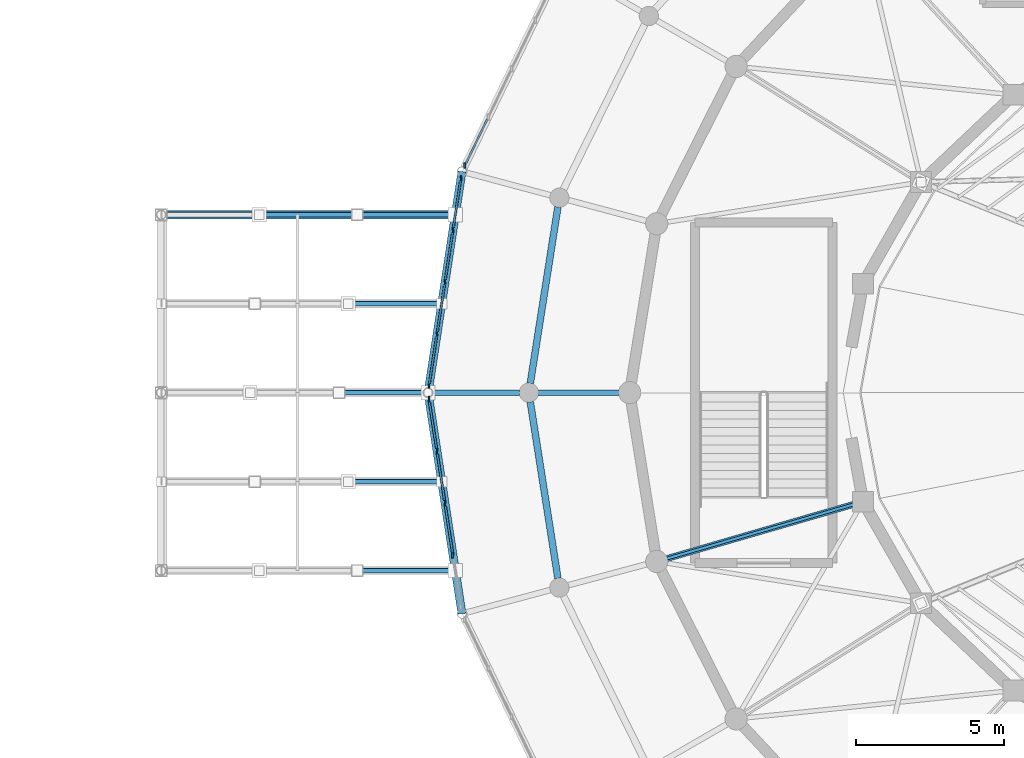
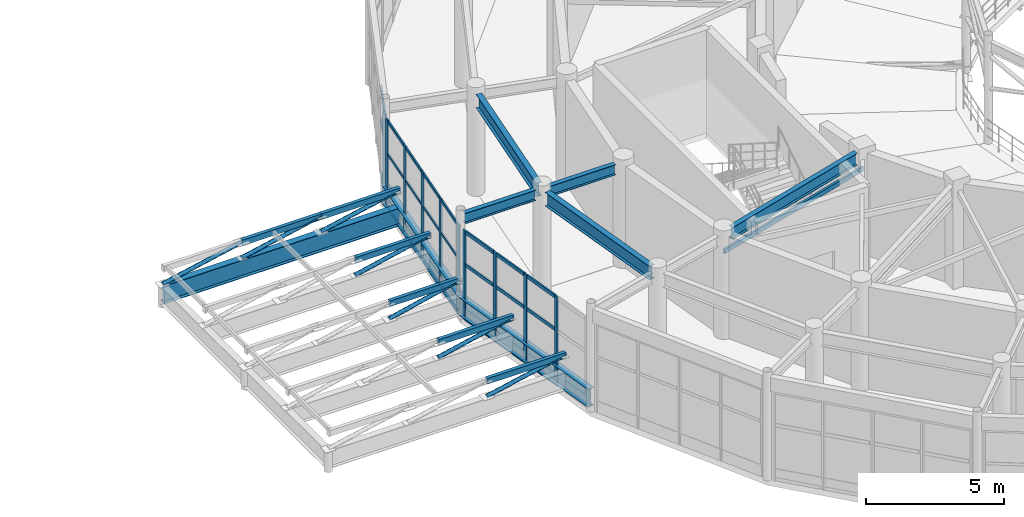
# One storey, part 38 of 144: 48 members, 8 beams, 3 elements without a shape of their own.
"""IFC4 building model written with IfcOpenShell, lengths in metres."""

from ifc_helpers import new_model, si_unit, direction, frame, origin, origin_2d, place, context, subcontext, project, spatial, rectangle, hollow_rectangle, hollow_circle, i_section, extrude, material, material_profile, profile_set, type_object, element, aggregate, save


model = new_model("IFC4")

# Units and contexts
model_context = context("Model", 3, precision=1e-05, world=origin(), true_north=direction((0.0, 1.0)))
body_context = subcontext(model_context, "Body", "Model", "MODEL_VIEW")
ifc_project = project(units=[si_unit("LENGTHUNIT", "METRE"), si_unit("AREAUNIT", "SQUARE_METRE"), si_unit("VOLUMEUNIT", "CUBIC_METRE"), si_unit("PLANEANGLEUNIT", "RADIAN"), si_unit("MASSUNIT", "GRAM", prefix="KILO")], contexts=[model_context])

# Site, building, storey
site_placement = place(None, origin())
site = spatial("IfcSite", under=ifc_project, at=site_placement, CompositionType="ELEMENT")
building_placement = place(site_placement, origin())
building = spatial("IfcBuilding", under=site, at=building_placement, Name="Cinderbank Siding Concert Hall", CompositionType="ELEMENT")
storey_placement = place(building_placement, frame((0.0, 0.0, 5.39990234375)))
storey = spatial("IfcBuildingStorey", under=building, at=storey_placement, Name="L02", CompositionType="ELEMENT", Elevation=5.39990234375)

# Beams
ifc_material_1 = material(Name="Structural steel AS/NZS 3679.1 Grade 350 (340 MPa)", Category="steel")
ifc_material_profile_1 = material_profile(ifc_material_1, i_section(OverallWidth=0.19091796875, OverallDepth=0.46044921875, WebThickness=0.010009765625, FlangeThickness=0.01611328125, at=origin_2d()), Name="460UB82.1", Category="LoadBearing")
ifc_profile_set_1 = profile_set([ifc_material_profile_1], Name="Structural steel AS/NZS 3679.1 Grade 350 (340 MPa)")
beam_type_1 = type_object("IfcBeamType", Name="BM-UB460H 460UB82.1", PredefinedType="BEAM", material=ifc_profile_set_1)
beam_1_placement = place(storey_placement, frame((94.8330078125, 44.0, 4.2919921875), z_axis=(-1.0, 0.0, 0.0), x_axis=(0.0, -1.0, 0.0)))
element("IfcBeam", 1, at=beam_1_placement, inside=storey, type_object=beam_type_1, Name="L02 Beam BM-UB460H #509", PredefinedType="BEAM", context=body_context, shape_type="SweptSolid", body=[
    extrude(i_section(OverallWidth=0.19091796875, OverallDepth=0.46044921875, WebThickness=0.010009765625, FlangeThickness=0.01611328125, at=origin_2d()), origin(), (0.0, 0.0, 1.0), 2.716064453125),
])
beam_2_placement = place(storey_placement, frame((91.48291015625, 44.0, 4.331787109375), z_axis=(-1.0, 0.0, 0.0), x_axis=(0.0, -1.0, 0.0)))
element("IfcBeam", 2, at=beam_2_placement, inside=storey, type_object=beam_type_1, Name="L02 Beam BM-UB460H #533", PredefinedType="BEAM", context=body_context, shape_type="SweptSolid", body=[
    extrude(i_section(OverallWidth=0.19091796875, OverallDepth=0.46044921875, WebThickness=0.010009765625, FlangeThickness=0.01611328125, at=origin_2d()), origin(), (0.0, 0.0, 1.0), 2.928955078125),
])
ifc_material_profile_2 = material_profile(ifc_material_1, i_section(OverallWidth=0.208984375, OverallDepth=0.532958984375, WebThickness=0.01025390625, FlangeThickness=0.015625, at=origin_2d()), Name="530UB92.4", Category="LoadBearing")
ifc_profile_set_2 = profile_set([ifc_material_profile_2], Name="Structural steel AS/NZS 3679.1 Grade 350 (340 MPa)")
beam_type_2 = type_object("IfcBeamType", Name="BM-UB530H 530UB92.4", PredefinedType="BEAM", material=ifc_profile_set_2)
beam_3_placement = place(storey_placement, frame((102.739501953125, 40.2294921875, 4.28564453125), z_axis=(-0.960350422934, -0.278795740946, 0.0), x_axis=(0.278795740946, -0.960350422934, 0.0)))
element("IfcBeam", 3, at=beam_3_placement, inside=storey, type_object=beam_type_2, Name="L02 Beam BM-UB530H #490", PredefinedType="BEAM", context=body_context, shape_type="SweptSolid", body=[
    extrude(i_section(OverallWidth=0.208984375, OverallDepth=0.532958984375, WebThickness=0.01025390625, FlangeThickness=0.015625, at=origin_2d()), origin(), (0.0, 0.0, 1.0), 6.53271484375),
])
ifc_material_profile_3 = material_profile(ifc_material_1, i_section(OverallWidth=0.22802734375, OverallDepth=0.60693359375, WebThickness=0.01123046875, FlangeThickness=0.017333984375, at=origin_2d()), Name="610UB113", Category="LoadBearing")
ifc_profile_set_3 = profile_set([ifc_material_profile_3], Name="Structural steel AS/NZS 3679.1 Grade 350 (340 MPa)")
beam_type_3 = type_object("IfcBeamType", Name="BM-UB610M 610UB113", PredefinedType="BEAM", material=ifc_profile_set_3)
for number, where, z_axis, x_axis, name in (
    (4, (92.780029296875, 50.2607421875, 4.218505859375), (-0.154637914322, -0.987971211855, 0.0), (0.987971211855, -0.154637914322, 0.0), "L02 Beam BM-UB610M #451"),
    (5, (91.84912109375, 43.686767578125, 4.218505859375), (0.154637914322, -0.987971211855, 0.0), (0.987971211855, 0.154637914322, 0.0), "L02 Beam BM-UB610M #452"),
):
    element("IfcBeam", number, at=place(storey_placement, frame(where, z_axis=z_axis, x_axis=x_axis)), inside=storey, type_object=beam_type_3, Name=name, PredefinedType="BEAM", context=body_context, shape_type="SweptSolid", body=[
        extrude(i_section(OverallWidth=0.22802734375, OverallDepth=0.60693359375, WebThickness=0.01123046875, FlangeThickness=0.017333984375, at=origin_2d()), origin(), (0.0, 0.0, 1.0), 6.02001953125),
    ])
ifc_material_2 = material(Name="Structural steel welded plate section AS/NZS 3679.2 / AS/NZS 3678 Grade 350 (340 MPa)", Category="steel")
ifc_material_profile_4 = material_profile(ifc_material_2, i_section(OverallWidth=0.27490234375, OverallDepth=0.800048828125, WebThickness=0.011962890625, FlangeThickness=0.02001953125, at=origin_2d()), Name="800WB168", Category="LoadBearing")
ifc_profile_set_4 = profile_set([ifc_material_profile_4], Name="Structural steel welded plate section AS/NZS 3679.2 / AS/NZS 3678 Grade 350 (340 MPa)")
beam_type_4 = type_object("IfcBeamType", Name="BM-WB800H 800WB168", PredefinedType="BEAM", material=ifc_profile_set_4)
for number, where, z_axis, x_axis, name in (
    (6, (89.544921875, 51.4541015625, 0.550048828125), (-0.151828512078, -0.988406850907, 0.0), (0.988406850907, -0.151828512078, 0.0), "L02 Beam BM-WB800H #89"),
    (7, (88.39990234375, 44.0, 0.550048828125), (0.151828512078, -0.988406850907, 0.0), (0.988406850907, 0.151828512078, 0.0), "L02 Beam BM-WB800H #90"),
):
    element("IfcBeam", number, at=place(storey_placement, frame(where, z_axis=z_axis, x_axis=x_axis)), inside=storey, type_object=beam_type_4, Name=name, PredefinedType="BEAM", context=body_context, shape_type="SweptSolid", body=[
        extrude(i_section(OverallWidth=0.27490234375, OverallDepth=0.800048828125, WebThickness=0.011962890625, FlangeThickness=0.02001953125, at=origin_2d()), origin(), (0.0, 0.0, 1.0), 7.54150390625),
    ])
beam_4_placement = place(storey_placement, frame((89.321533203125, 50.0, 0.550048828125), z_axis=(-1.0, 0.0, 0.0), x_axis=(0.0, -1.0, 0.0)))
element("IfcBeam", 8, at=beam_4_placement, inside=storey, type_object=beam_type_4, Name="L02 Beam BM-WB800H #95", PredefinedType="BEAM", context=body_context, shape_type="SweptSolid", body=[
    extrude(i_section(OverallWidth=0.27490234375, OverallDepth=0.800048828125, WebThickness=0.011962890625, FlangeThickness=0.02001953125, at=origin_2d()), origin(), (0.0, 0.0, 1.0), 9.921630859375),
])

# Members
ifc_material_3 = material(Name="Structural steel hollow section AS/NZS 1163 Grade C350L0 (350 MPa)", Category="steel")
ifc_material_profile_5 = material_profile(ifc_material_3, hollow_circle(Radius=0.084228515625, WallThickness=0.007080078125, at=origin_2d()), Name="168.3x7.1CHS", Category="LoadBearing")
ifc_profile_set_5 = profile_set([ifc_material_profile_5], Name="Structural steel hollow section AS/NZS 1163 Grade C350L0 (350 MPa)")
member_type_1 = type_object("IfcMemberType", Name="BR-CHS168 168.3x7.1CHS Roof Truss", PredefinedType="BRACE", material=ifc_profile_set_5)
member_1_placement = place(storey_placement, frame((89.321533203125, 38.0, 1.650146484375), z_axis=(-0.978327762396, 0.0, -0.207062283684), x_axis=(0.0, -1.0, 0.0)))
element("IfcMember", 9, at=member_1_placement, inside=storey, type_object=member_type_1, Name="L02 Diagonal Brace BR-CHS168 #CBR-BR-CHS168-L02-0002", PredefinedType="BRACE", context=body_context, shape_type="SweptSolid", body=[
    extrude(hollow_circle(Radius=0.084228515625, WallThickness=0.007080078125, at=origin_2d()), origin(), (0.0, 0.0, 1.0), 3.38037109375),
])
member_2_placement = place(storey_placement, frame((88.86083984375, 41.0, 1.650146484375), z_axis=(-0.976242156209, 0.0, -0.216682376856), x_axis=(0.0, -1.0, 0.0)))
element("IfcMember", 10, at=member_2_placement, inside=storey, type_object=member_type_1, Name="L02 Diagonal Brace BR-CHS168 #CBR-BR-CHS168-L02-0008", PredefinedType="BRACE", context=body_context, shape_type="SweptSolid", body=[
    extrude(hollow_circle(Radius=0.084228515625, WallThickness=0.007080078125, at=origin_2d()), origin(), (0.0, 0.0, 1.0), 3.230224609375),
])
member_3_placement = place(storey_placement, frame((88.39990234375, 44.0, 1.650146484375), z_axis=(-0.973844717077, 0.0, -0.227214583647), x_axis=(0.0, -1.0, 0.0)))
element("IfcMember", 11, at=member_3_placement, inside=storey, type_object=member_type_1, Name="L02 Diagonal Brace BR-CHS168 #CBR-BR-CHS168-L02-0014", PredefinedType="BRACE", context=body_context, shape_type="SweptSolid", body=[
    extrude(hollow_circle(Radius=0.084228515625, WallThickness=0.007080078125, at=origin_2d()), origin(), (0.0, 0.0, 1.0), 3.08056640625),
])
member_4_placement = place(storey_placement, frame((88.86083984375, 47.0, 1.650146484375), z_axis=(-0.976242156209, 0.0, -0.216682376856), x_axis=(0.0, -1.0, 0.0)))
element("IfcMember", 12, at=member_4_placement, inside=storey, type_object=member_type_1, Name="L02 Diagonal Brace BR-CHS168 #CBR-BR-CHS168-L02-0020", PredefinedType="BRACE", context=body_context, shape_type="SweptSolid", body=[
    extrude(hollow_circle(Radius=0.084228515625, WallThickness=0.007080078125, at=origin_2d()), origin(), (0.0, 0.0, 1.0), 3.230224609375),
])
for number, where, z_axis, x_axis, name in (
    (13, (89.321533203125, 50.0, 1.650146484375), (-0.978327762396, 0.0, -0.207062283684), (0.0, -1.0, 0.0), "L02 Diagonal Brace BR-CHS168 #CBR-BR-CHS168-L02-0026"),
    (14, (86.014404296875, 50.0, 1.650146484375), (-0.978327762396, 0.0, -0.207062283684), (0.0, -1.0, 0.0), "L02 Diagonal Brace BR-CHS168 #CBR-BR-CHS168-L02-0028"),
):
    element("IfcMember", number, at=place(storey_placement, frame(where, z_axis=z_axis, x_axis=x_axis)), inside=storey, type_object=member_type_1, Name=name, PredefinedType="BRACE", context=body_context, shape_type="SweptSolid", body=[
        extrude(hollow_circle(Radius=0.084228515625, WallThickness=0.007080078125, at=origin_2d()), origin(), (0.0, 0.0, 1.0), 3.38037109375),
    ])
member_5_placement = place(storey_placement, frame((82.707275390625, 50.0, 1.650146484375), z_axis=(-0.978330858598, 0.0, -0.207047654211), x_axis=(0.0, -1.0, 0.0)))
element("IfcMember", 15, at=member_5_placement, inside=storey, type_object=member_type_1, Name="L02 Diagonal Brace BR-CHS168 #CBR-BR-CHS168-L02-0030", PredefinedType="BRACE", context=body_context, shape_type="SweptSolid", body=[
    extrude(hollow_circle(Radius=0.084228515625, WallThickness=0.007080078125, at=origin_2d()), origin(), (0.0, 0.0, 1.0), 3.380615234375),
])

# Curtain wall, members
ifc_material_4 = material(Name="Anodised aluminium alloy 6063-T6", Category="aluminium")
curtain_wall_type_1 = type_object("IfcCurtainWallType", Name="CW-12 Unitised Acoustic Curtain Wall 5800x3500", PredefinedType="NOTDEFINED", material=ifc_material_4)
curtain_wall_1_placement = place(storey_placement, origin())
curtain_wall_1 = element("IfcCurtainWall", 16, at=curtain_wall_1_placement, inside=storey, type_object=curtain_wall_type_1, Name="L02 Curtain Wall CW-12 #12", PredefinedType="NOTDEFINED")
ifc_material_profile_6 = material_profile(ifc_material_4, rectangle(XDim=0.06005859375, YDim=0.159912109375, at=origin_2d()), Name="ALU-MULL-60x160", Category="LoadBearing")
ifc_profile_set_6 = profile_set([ifc_material_profile_6], Name="Anodised aluminium alloy 6063-T6")
member_type_2 = type_object("IfcMemberType", Name="CW-ML1 Mullion 60x160", PredefinedType="MULLION", material=ifc_profile_set_6)
member_6_placement = place(storey_placement, frame((89.510498046875, 51.229736328125, 0.0), z_axis=(0.0, 0.0, 1.0), x_axis=(1.0, 0.0, 0.0)))
member_6 = element("IfcMember", 17, at=member_6_placement, type_object=member_type_2, Name="CW-L02-012 Mullion 0", PredefinedType="MULLION", context=body_context, shape_type="SweptSolid", body=[
    extrude(rectangle(XDim=0.06005859375, YDim=0.159912109375, at=origin_2d()), origin(), (0.0, 0.0, 1.0), 3.947021484375),
])
member_7_placement = place(storey_placement, frame((89.241455078125, 49.478271484375, 0.0), z_axis=(0.0, 0.0, 1.0), x_axis=(1.0, 0.0, 0.0)))
member_7 = element("IfcMember", 18, at=member_7_placement, type_object=member_type_2, Name="CW-L02-012 Mullion 1", PredefinedType="MULLION", context=body_context, shape_type="SweptSolid", body=[
    extrude(rectangle(XDim=0.06005859375, YDim=0.159912109375, at=origin_2d()), origin(), (0.0, 0.0, 1.0), 3.947021484375),
])
member_8_placement = place(storey_placement, frame((88.972412109375, 47.72705078125, 0.0), z_axis=(0.0, 0.0, 1.0), x_axis=(1.0, 0.0, 0.0)))
member_8 = element("IfcMember", 19, at=member_8_placement, type_object=member_type_2, Name="CW-L02-012 Mullion 2", PredefinedType="MULLION", context=body_context, shape_type="SweptSolid", body=[
    extrude(rectangle(XDim=0.06005859375, YDim=0.159912109375, at=origin_2d()), origin(), (0.0, 0.0, 1.0), 3.947021484375),
])
member_9_placement = place(storey_placement, frame((88.70361328125, 45.9755859375, 0.0), z_axis=(0.0, 0.0, 1.0), x_axis=(1.0, 0.0, 0.0)))
member_9 = element("IfcMember", 20, at=member_9_placement, type_object=member_type_2, Name="CW-L02-012 Mullion 3", PredefinedType="MULLION", context=body_context, shape_type="SweptSolid", body=[
    extrude(rectangle(XDim=0.06005859375, YDim=0.159912109375, at=origin_2d()), origin(), (0.0, 0.0, 1.0), 3.947021484375),
])
member_10_placement = place(storey_placement, frame((88.4345703125, 44.224365234375, 0.0), z_axis=(0.0, 0.0, 1.0), x_axis=(1.0, 0.0, 0.0)))
member_10 = element("IfcMember", 21, at=member_10_placement, type_object=member_type_2, Name="CW-L02-012 Mullion 4", PredefinedType="MULLION", context=body_context, shape_type="SweptSolid", body=[
    extrude(rectangle(XDim=0.06005859375, YDim=0.159912109375, at=origin_2d()), origin(), (0.0, 0.0, 1.0), 3.947021484375),
])

# Curtain wall, member
curtain_wall_type_2 = type_object("IfcCurtainWallType", Name="CW-11 Unitised Acoustic Curtain Wall 6600x3500", PredefinedType="NOTDEFINED", material=ifc_material_4)
curtain_wall_2_placement = place(storey_placement, origin())
curtain_wall_2 = element("IfcCurtainWall", 22, at=curtain_wall_2_placement, inside=storey, type_object=curtain_wall_type_2, Name="L02 Curtain Wall CW-11 #11", PredefinedType="NOTDEFINED")
ifc_material_profile_7 = material_profile(ifc_material_4, rectangle(XDim=0.06494140625, YDim=0.199951171875, at=origin_2d()), Name="ALU-MULL-65x200", Category="LoadBearing")
ifc_profile_set_7 = profile_set([ifc_material_profile_7], Name="Anodised aluminium alloy 6063-T6")
member_type_3 = type_object("IfcMemberType", Name="CW-ML2 Mullion 65x200", PredefinedType="MULLION", material=ifc_profile_set_7)
member_11_placement = place(storey_placement, frame((89.6435546875, 51.658203125, 0.0), z_axis=(0.0, 0.0, 1.0), x_axis=(1.0, 0.0, 0.0)))
member_11 = element("IfcMember", 23, at=member_11_placement, type_object=member_type_3, Name="CW-L02-011 Mullion 4", PredefinedType="MULLION", context=body_context, shape_type="SweptSolid", body=[
    extrude(rectangle(XDim=0.06494140625, YDim=0.199951171875, at=origin_2d()), origin(), (0.0, 0.0, 1.0), 3.947021484375),
])

# Curtain wall, members
curtain_wall_type_3 = type_object("IfcCurtainWallType", Name="CW-01 Unitised Acoustic Curtain Wall 8200x4400", PredefinedType="NOTDEFINED", material=ifc_material_4)
curtain_wall_3_placement = place(storey_placement, origin())
curtain_wall_3 = element("IfcCurtainWall", 24, at=curtain_wall_3_placement, inside=storey, type_object=curtain_wall_type_3, Name="L02 Curtain Wall CW-01 #13", PredefinedType="NOTDEFINED")
member_12_placement = place(storey_placement, frame((88.4345703125, 43.775634765625, 0.0), z_axis=(0.0, 0.0, 1.0), x_axis=(1.0, 0.0, 0.0)))
member_12 = element("IfcMember", 25, at=member_12_placement, type_object=member_type_3, Name="CW-L02-013 Mullion 0", PredefinedType="MULLION", context=body_context, shape_type="SweptSolid", body=[
    extrude(rectangle(XDim=0.06494140625, YDim=0.199951171875, at=origin_2d()), origin(), (0.0, 0.0, 1.0), 3.947021484375),
])
member_13_placement = place(storey_placement, frame((88.70361328125, 42.0244140625, 0.0), z_axis=(0.0, 0.0, 1.0), x_axis=(1.0, 0.0, 0.0)))
member_13 = element("IfcMember", 26, at=member_13_placement, type_object=member_type_3, Name="CW-L02-013 Mullion 1", PredefinedType="MULLION", context=body_context, shape_type="SweptSolid", body=[
    extrude(rectangle(XDim=0.06494140625, YDim=0.199951171875, at=origin_2d()), origin(), (0.0, 0.0, 1.0), 3.947021484375),
])
member_14_placement = place(storey_placement, frame((88.972412109375, 40.27294921875, 0.0), z_axis=(0.0, 0.0, 1.0), x_axis=(1.0, 0.0, 0.0)))
member_14 = element("IfcMember", 27, at=member_14_placement, type_object=member_type_3, Name="CW-L02-013 Mullion 2", PredefinedType="MULLION", context=body_context, shape_type="SweptSolid", body=[
    extrude(rectangle(XDim=0.06494140625, YDim=0.199951171875, at=origin_2d()), origin(), (0.0, 0.0, 1.0), 3.947021484375),
])
member_15_placement = place(storey_placement, frame((89.241455078125, 38.521728515625, 0.0), z_axis=(0.0, 0.0, 1.0), x_axis=(1.0, 0.0, 0.0)))
member_15 = element("IfcMember", 28, at=member_15_placement, type_object=member_type_3, Name="CW-L02-013 Mullion 3", PredefinedType="MULLION", context=body_context, shape_type="SweptSolid", body=[
    extrude(rectangle(XDim=0.06494140625, YDim=0.199951171875, at=origin_2d()), origin(), (0.0, 0.0, 1.0), 3.947021484375),
])

# Member
ifc_material_profile_8 = material_profile(ifc_material_4, rectangle(XDim=0.06005859375, YDim=0.1201171875, at=origin_2d()), Name="ALU-TRAN-60x120", Category="LoadBearing")
ifc_profile_set_8 = profile_set([ifc_material_profile_8], Name="Anodised aluminium alloy 6063-T6")
member_type_4 = type_object("IfcMemberType", Name="CW-TR1 Transom 60x120", PredefinedType="USERDEFINED", material=ifc_profile_set_8)
member_16_placement = place(storey_placement, frame((89.4970703125, 51.14208984375, 0.06005859375), z_axis=(-0.151873110161, -0.988399999196, 0.0), x_axis=(0.988399999196, -0.151873110161, 0.0)))
member_16 = element("IfcMember", 29, at=member_16_placement, type_object=member_type_4, Name="CW-L02-012 Transom 0-0", ObjectType="TRANSOM", PredefinedType="USERDEFINED", context=body_context, shape_type="SweptSolid", body=[
    extrude(rectangle(XDim=0.06005859375, YDim=0.1201171875, at=origin_2d()), origin(), (0.0, 0.0, 1.0), 1.5947265625),
])

member_17_placement = place(storey_placement, frame((89.4970703125, 51.14208984375, 2.447265625), z_axis=(-0.151873110161, -0.988399999196, 0.0), x_axis=(0.988399999196, -0.151873110161, 0.0)))
member_17 = element("IfcMember", 30, at=member_17_placement, type_object=member_type_4, Name="CW-L02-012 Transom 0-1", ObjectType="TRANSOM", PredefinedType="USERDEFINED", context=body_context, shape_type="SweptSolid", body=[
    extrude(rectangle(XDim=0.06005859375, YDim=0.1201171875, at=origin_2d()), origin(), (0.0, 0.0, 1.0), 1.5947265625),
])

member_18_placement = place(storey_placement, frame((89.4970703125, 51.14208984375, 3.88720703125), z_axis=(-0.151873110161, -0.988399999196, 0.0), x_axis=(0.988399999196, -0.151873110161, 0.0)))
member_18 = element("IfcMember", 31, at=member_18_placement, type_object=member_type_4, Name="CW-L02-012 Transom 0-2", ObjectType="TRANSOM", PredefinedType="USERDEFINED", context=body_context, shape_type="SweptSolid", body=[
    extrude(rectangle(XDim=0.06005859375, YDim=0.1201171875, at=origin_2d()), origin(), (0.0, 0.0, 1.0), 1.5947265625),
])

member_19_placement = place(storey_placement, frame((89.22802734375, 49.390869140625, 0.06005859375), z_axis=(-0.151873110161, -0.988399999196, 0.0), x_axis=(0.988399999196, -0.151873110161, 0.0)))
member_19 = element("IfcMember", 32, at=member_19_placement, type_object=member_type_4, Name="CW-L02-012 Transom 1-0", ObjectType="TRANSOM", PredefinedType="USERDEFINED", context=body_context, shape_type="SweptSolid", body=[
    extrude(rectangle(XDim=0.06005859375, YDim=0.1201171875, at=origin_2d()), origin(), (0.0, 0.0, 1.0), 1.5947265625),
])

member_20_placement = place(storey_placement, frame((89.22802734375, 49.390869140625, 2.447265625), z_axis=(-0.151873110161, -0.988399999196, 0.0), x_axis=(0.988399999196, -0.151873110161, 0.0)))
member_20 = element("IfcMember", 33, at=member_20_placement, type_object=member_type_4, Name="CW-L02-012 Transom 1-1", ObjectType="TRANSOM", PredefinedType="USERDEFINED", context=body_context, shape_type="SweptSolid", body=[
    extrude(rectangle(XDim=0.06005859375, YDim=0.1201171875, at=origin_2d()), origin(), (0.0, 0.0, 1.0), 1.5947265625),
])

member_21_placement = place(storey_placement, frame((89.22802734375, 49.390869140625, 3.88720703125), z_axis=(-0.151873110161, -0.988399999196, 0.0), x_axis=(0.988399999196, -0.151873110161, 0.0)))
member_21 = element("IfcMember", 34, at=member_21_placement, type_object=member_type_4, Name="CW-L02-012 Transom 1-2", ObjectType="TRANSOM", PredefinedType="USERDEFINED", context=body_context, shape_type="SweptSolid", body=[
    extrude(rectangle(XDim=0.06005859375, YDim=0.1201171875, at=origin_2d()), origin(), (0.0, 0.0, 1.0), 1.5947265625),
])

member_22_placement = place(storey_placement, frame((88.958984375, 47.639404296875, 0.06005859375), z_axis=(-0.151873110161, -0.988399999196, 0.0), x_axis=(0.988399999196, -0.151873110161, 0.0)))
member_22 = element("IfcMember", 35, at=member_22_placement, type_object=member_type_4, Name="CW-L02-012 Transom 2-0", ObjectType="TRANSOM", PredefinedType="USERDEFINED", context=body_context, shape_type="SweptSolid", body=[
    extrude(rectangle(XDim=0.06005859375, YDim=0.1201171875, at=origin_2d()), origin(), (0.0, 0.0, 1.0), 1.5947265625),
])

member_23_placement = place(storey_placement, frame((88.958984375, 47.639404296875, 2.447265625), z_axis=(-0.151873110161, -0.988399999196, 0.0), x_axis=(0.988399999196, -0.151873110161, 0.0)))
member_23 = element("IfcMember", 36, at=member_23_placement, type_object=member_type_4, Name="CW-L02-012 Transom 2-1", ObjectType="TRANSOM", PredefinedType="USERDEFINED", context=body_context, shape_type="SweptSolid", body=[
    extrude(rectangle(XDim=0.06005859375, YDim=0.1201171875, at=origin_2d()), origin(), (0.0, 0.0, 1.0), 1.5947265625),
])

member_24_placement = place(storey_placement, frame((88.958984375, 47.639404296875, 3.88720703125), z_axis=(-0.151873110161, -0.988399999196, 0.0), x_axis=(0.988399999196, -0.151873110161, 0.0)))
member_24 = element("IfcMember", 37, at=member_24_placement, type_object=member_type_4, Name="CW-L02-012 Transom 2-2", ObjectType="TRANSOM", PredefinedType="USERDEFINED", context=body_context, shape_type="SweptSolid", body=[
    extrude(rectangle(XDim=0.06005859375, YDim=0.1201171875, at=origin_2d()), origin(), (0.0, 0.0, 1.0), 1.5947265625),
])

member_25_placement = place(storey_placement, frame((88.68994140625, 45.88818359375, 0.06005859375), z_axis=(-0.151723538324, -0.988422970149, 0.0), x_axis=(0.988422970149, -0.151723538324, 0.0)))
member_25 = element("IfcMember", 38, at=member_25_placement, type_object=member_type_4, Name="CW-L02-012 Transom 3-0", ObjectType="TRANSOM", PredefinedType="USERDEFINED", context=body_context, shape_type="SweptSolid", body=[
    extrude(rectangle(XDim=0.06005859375, YDim=0.1201171875, at=origin_2d()), origin(), (0.0, 0.0, 1.0), 1.5947265625),
])

member_26_placement = place(storey_placement, frame((88.68994140625, 45.88818359375, 2.447265625), z_axis=(-0.151723538324, -0.988422970149, 0.0), x_axis=(0.988422970149, -0.151723538324, 0.0)))
member_26 = element("IfcMember", 39, at=member_26_placement, type_object=member_type_4, Name="CW-L02-012 Transom 3-1", ObjectType="TRANSOM", PredefinedType="USERDEFINED", context=body_context, shape_type="SweptSolid", body=[
    extrude(rectangle(XDim=0.06005859375, YDim=0.1201171875, at=origin_2d()), origin(), (0.0, 0.0, 1.0), 1.5947265625),
])

member_27_placement = place(storey_placement, frame((88.68994140625, 45.88818359375, 3.88720703125), z_axis=(-0.151723538324, -0.988422970149, 0.0), x_axis=(0.988422970149, -0.151723538324, 0.0)))
member_27 = element("IfcMember", 40, at=member_27_placement, type_object=member_type_4, Name="CW-L02-012 Transom 3-2", ObjectType="TRANSOM", PredefinedType="USERDEFINED", context=body_context, shape_type="SweptSolid", body=[
    extrude(rectangle(XDim=0.06005859375, YDim=0.1201171875, at=origin_2d()), origin(), (0.0, 0.0, 1.0), 1.5947265625),
])

aggregate(curtain_wall_1, [member_6, member_7, member_8, member_9, member_10, member_16, member_17, member_18, member_19, member_20, member_21, member_22, member_23, member_24, member_25, member_26, member_27])

ifc_material_profile_9 = material_profile(ifc_material_4, rectangle(XDim=0.06494140625, YDim=0.14990234375, at=origin_2d()), Name="ALU-TRAN-65x150", Category="LoadBearing")
ifc_profile_set_9 = profile_set([ifc_material_profile_9], Name="Anodised aluminium alloy 6063-T6")
member_type_5 = type_object("IfcMemberType", Name="CW-TR2 Transom 65x150", PredefinedType="USERDEFINED", material=ifc_profile_set_9)
member_28_placement = place(storey_placement, frame((90.393798828125, 53.2109375, 0.06005859375), z_axis=(-0.435037415308, -0.900412376238, 0.0), x_axis=(0.900412376238, -0.435037415308, 0.0)))
member_28 = element("IfcMember", 41, at=member_28_placement, type_object=member_type_5, Name="CW-L02-011 Transom 3-0", ObjectType="TRANSOM", PredefinedType="USERDEFINED", context=body_context, shape_type="SweptSolid", body=[
    extrude(rectangle(XDim=0.06494140625, YDim=0.14990234375, at=origin_2d()), origin(), (0.0, 0.0, 1.0), 1.633544921875),
])

member_29_placement = place(storey_placement, frame((90.393798828125, 53.2109375, 2.447265625), z_axis=(-0.435037415308, -0.900412376238, 0.0), x_axis=(0.900412376238, -0.435037415308, 0.0)))
member_29 = element("IfcMember", 42, at=member_29_placement, type_object=member_type_5, Name="CW-L02-011 Transom 3-1", ObjectType="TRANSOM", PredefinedType="USERDEFINED", context=body_context, shape_type="SweptSolid", body=[
    extrude(rectangle(XDim=0.06494140625, YDim=0.14990234375, at=origin_2d()), origin(), (0.0, 0.0, 1.0), 1.633544921875),
])

member_30_placement = place(storey_placement, frame((90.393798828125, 53.2109375, 3.88720703125), z_axis=(-0.435037415308, -0.900412376238, 0.0), x_axis=(0.900412376238, -0.435037415308, 0.0)))
member_30 = element("IfcMember", 43, at=member_30_placement, type_object=member_type_5, Name="CW-L02-011 Transom 3-2", ObjectType="TRANSOM", PredefinedType="USERDEFINED", context=body_context, shape_type="SweptSolid", body=[
    extrude(rectangle(XDim=0.06494140625, YDim=0.14990234375, at=origin_2d()), origin(), (0.0, 0.0, 1.0), 1.633544921875),
])

aggregate(curtain_wall_2, [member_11, member_28, member_29, member_30])

member_31_placement = place(storey_placement, frame((88.447998046875, 43.68798828125, 0.06005859375), z_axis=(0.151723538324, -0.988422970149, 0.0), x_axis=(0.988422970149, 0.151723538324, 0.0)))
member_31 = element("IfcMember", 44, at=member_31_placement, type_object=member_type_5, Name="CW-L02-013 Transom 0-0", ObjectType="TRANSOM", PredefinedType="USERDEFINED", context=body_context, shape_type="SweptSolid", body=[
    extrude(rectangle(XDim=0.06494140625, YDim=0.14990234375, at=origin_2d()), origin(), (0.0, 0.0, 1.0), 1.5947265625),
])

member_32_placement = place(storey_placement, frame((88.447998046875, 43.68798828125, 2.447265625), z_axis=(0.151723538324, -0.988422970149, 0.0), x_axis=(0.988422970149, 0.151723538324, 0.0)))
member_32 = element("IfcMember", 45, at=member_32_placement, type_object=member_type_5, Name="CW-L02-013 Transom 0-1", ObjectType="TRANSOM", PredefinedType="USERDEFINED", context=body_context, shape_type="SweptSolid", body=[
    extrude(rectangle(XDim=0.06494140625, YDim=0.14990234375, at=origin_2d()), origin(), (0.0, 0.0, 1.0), 1.5947265625),
])

member_33_placement = place(storey_placement, frame((88.447998046875, 43.68798828125, 3.88720703125), z_axis=(0.151723538324, -0.988422970149, 0.0), x_axis=(0.988422970149, 0.151723538324, 0.0)))
member_33 = element("IfcMember", 46, at=member_33_placement, type_object=member_type_5, Name="CW-L02-013 Transom 0-2", ObjectType="TRANSOM", PredefinedType="USERDEFINED", context=body_context, shape_type="SweptSolid", body=[
    extrude(rectangle(XDim=0.06494140625, YDim=0.14990234375, at=origin_2d()), origin(), (0.0, 0.0, 1.0), 1.5947265625),
])

member_34_placement = place(storey_placement, frame((88.716796875, 41.936767578125, 0.06005859375), z_axis=(0.151873110161, -0.988399999196, 0.0), x_axis=(0.988399999196, 0.151873110161, 0.0)))
member_34 = element("IfcMember", 47, at=member_34_placement, type_object=member_type_5, Name="CW-L02-013 Transom 1-0", ObjectType="TRANSOM", PredefinedType="USERDEFINED", context=body_context, shape_type="SweptSolid", body=[
    extrude(rectangle(XDim=0.06494140625, YDim=0.14990234375, at=origin_2d()), origin(), (0.0, 0.0, 1.0), 1.5947265625),
])

member_35_placement = place(storey_placement, frame((88.716796875, 41.936767578125, 2.447265625), z_axis=(0.151873110161, -0.988399999196, 0.0), x_axis=(0.988399999196, 0.151873110161, 0.0)))
member_35 = element("IfcMember", 48, at=member_35_placement, type_object=member_type_5, Name="CW-L02-013 Transom 1-1", ObjectType="TRANSOM", PredefinedType="USERDEFINED", context=body_context, shape_type="SweptSolid", body=[
    extrude(rectangle(XDim=0.06494140625, YDim=0.14990234375, at=origin_2d()), origin(), (0.0, 0.0, 1.0), 1.5947265625),
])

member_36_placement = place(storey_placement, frame((88.716796875, 41.936767578125, 3.88720703125), z_axis=(0.151873110161, -0.988399999196, 0.0), x_axis=(0.988399999196, 0.151873110161, 0.0)))
member_36 = element("IfcMember", 49, at=member_36_placement, type_object=member_type_5, Name="CW-L02-013 Transom 1-2", ObjectType="TRANSOM", PredefinedType="USERDEFINED", context=body_context, shape_type="SweptSolid", body=[
    extrude(rectangle(XDim=0.06494140625, YDim=0.14990234375, at=origin_2d()), origin(), (0.0, 0.0, 1.0), 1.5947265625),
])

member_37_placement = place(storey_placement, frame((88.98583984375, 40.185302734375, 0.06005859375), z_axis=(0.151873110161, -0.988399999196, 0.0), x_axis=(0.988399999196, 0.151873110161, 0.0)))
member_37 = element("IfcMember", 50, at=member_37_placement, type_object=member_type_5, Name="CW-L02-013 Transom 2-0", ObjectType="TRANSOM", PredefinedType="USERDEFINED", context=body_context, shape_type="SweptSolid", body=[
    extrude(rectangle(XDim=0.06494140625, YDim=0.14990234375, at=origin_2d()), origin(), (0.0, 0.0, 1.0), 1.5947265625),
])

member_38_placement = place(storey_placement, frame((88.98583984375, 40.185302734375, 2.447265625), z_axis=(0.151873110161, -0.988399999196, 0.0), x_axis=(0.988399999196, 0.151873110161, 0.0)))
member_38 = element("IfcMember", 51, at=member_38_placement, type_object=member_type_5, Name="CW-L02-013 Transom 2-1", ObjectType="TRANSOM", PredefinedType="USERDEFINED", context=body_context, shape_type="SweptSolid", body=[
    extrude(rectangle(XDim=0.06494140625, YDim=0.14990234375, at=origin_2d()), origin(), (0.0, 0.0, 1.0), 1.5947265625),
])

member_39_placement = place(storey_placement, frame((88.98583984375, 40.185302734375, 3.88720703125), z_axis=(0.151873110161, -0.988399999196, 0.0), x_axis=(0.988399999196, 0.151873110161, 0.0)))
member_39 = element("IfcMember", 52, at=member_39_placement, type_object=member_type_5, Name="CW-L02-013 Transom 2-2", ObjectType="TRANSOM", PredefinedType="USERDEFINED", context=body_context, shape_type="SweptSolid", body=[
    extrude(rectangle(XDim=0.06494140625, YDim=0.14990234375, at=origin_2d()), origin(), (0.0, 0.0, 1.0), 1.5947265625),
])

aggregate(curtain_wall_3, [member_12, member_13, member_14, member_15, member_31, member_32, member_33, member_34, member_35, member_36, member_37, member_38, member_39])

# Members
ifc_material_profile_10 = material_profile(ifc_material_3, hollow_rectangle(XDim=0.10009765625, YDim=0.199951171875, WallThickness=0.008056640625, at=origin_2d()), Name="200x100x8.0RHS", Category="LoadBearing")
ifc_profile_set_10 = profile_set([ifc_material_profile_10], Name="Structural steel hollow section AS/NZS 1163 Grade C350L0 (350 MPa)")
member_type_6 = type_object("IfcMemberType", Name="PR-RHS200 200x100x8.0RHS Roof Truss", PredefinedType="PURLIN", material=ifc_profile_set_10)
member_40_placement = place(storey_placement, frame((103.06787109375, 40.32470703125, 3.64013671875), z_axis=(-0.960356417746, -0.278775090161, 0.0), x_axis=(0.278775090161, -0.960356417746, 0.0)))
element("IfcMember", 53, at=member_40_placement, inside=storey, type_object=member_type_6, Name="L02 Roof Truss Member PR-RHS200 #2223", PredefinedType="PURLIN", context=body_context, shape_type="SweptSolid", body=[
    extrude(hollow_rectangle(XDim=0.10009765625, YDim=0.199951171875, WallThickness=0.008056640625, at=origin_2d()), origin(), (0.0, 0.0, 1.0), 7.24169921875),
])
ifc_material_profile_11 = material_profile(ifc_material_3, hollow_rectangle(XDim=0.14990234375, YDim=0.25, WallThickness=0.009033203125, at=origin_2d()), Name="250x150x9.0RHS", Category="LoadBearing")
ifc_profile_set_11 = profile_set([ifc_material_profile_11], Name="Structural steel hollow section AS/NZS 1163 Grade C350L0 (350 MPa)")
member_type_7 = type_object("IfcMemberType", Name="TR-RHS250 250x150x9.0RHS Roof Truss", PredefinedType="RAFTER", material=ifc_profile_set_11)
member_41_placement = place(storey_placement, frame((89.321533203125, 38.0, 1.650146484375), z_axis=(-1.0, 0.0, 0.0), x_axis=(0.0, -1.0, 0.0)))
element("IfcMember", 54, at=member_41_placement, inside=storey, type_object=member_type_7, Name="L02 Roof Truss Member TR-RHS250 #1", PredefinedType="RAFTER", context=body_context, shape_type="SweptSolid", body=[
    extrude(hollow_rectangle(XDim=0.14990234375, YDim=0.25, WallThickness=0.009033203125, at=origin_2d()), origin(), (0.0, 0.0, 1.0), 3.30712890625),
])
member_42_placement = place(storey_placement, frame((88.86083984375, 41.0, 1.650146484375), z_axis=(-1.0, 0.0, 0.0), x_axis=(0.0, -1.0, 0.0)))
element("IfcMember", 55, at=member_42_placement, inside=storey, type_object=member_type_7, Name="L02 Roof Truss Member TR-RHS250 #7", PredefinedType="RAFTER", context=body_context, shape_type="SweptSolid", body=[
    extrude(hollow_rectangle(XDim=0.14990234375, YDim=0.25, WallThickness=0.009033203125, at=origin_2d()), origin(), (0.0, 0.0, 1.0), 3.153564453125),
])
member_43_placement = place(storey_placement, frame((88.39990234375, 44.0, 1.650146484375), z_axis=(-1.0, 0.0, 0.0), x_axis=(0.0, -1.0, 0.0)))
element("IfcMember", 56, at=member_43_placement, inside=storey, type_object=member_type_7, Name="L02 Roof Truss Member TR-RHS250 #13", PredefinedType="RAFTER", context=body_context, shape_type="SweptSolid", body=[
    extrude(hollow_rectangle(XDim=0.14990234375, YDim=0.25, WallThickness=0.009033203125, at=origin_2d()), origin(), (0.0, 0.0, 1.0), 3.0),
])
member_44_placement = place(storey_placement, frame((88.86083984375, 47.0, 1.650146484375), z_axis=(-1.0, 0.0, 0.0), x_axis=(0.0, -1.0, 0.0)))
element("IfcMember", 57, at=member_44_placement, inside=storey, type_object=member_type_7, Name="L02 Roof Truss Member TR-RHS250 #19", PredefinedType="RAFTER", context=body_context, shape_type="SweptSolid", body=[
    extrude(hollow_rectangle(XDim=0.14990234375, YDim=0.25, WallThickness=0.009033203125, at=origin_2d()), origin(), (0.0, 0.0, 1.0), 3.153564453125),
])
for number, where, z_axis, x_axis, name in (
    (58, (89.321533203125, 50.0, 1.650146484375), (-1.0, 0.0, 0.0), (0.0, -1.0, 0.0), "L02 Roof Truss Member TR-RHS250 #25"),
    (59, (86.014404296875, 50.0, 1.650146484375), (-1.0, 0.0, 0.0), (0.0, -1.0, 0.0), "L02 Roof Truss Member TR-RHS250 #27"),
):
    element("IfcMember", number, at=place(storey_placement, frame(where, z_axis=z_axis, x_axis=x_axis)), inside=storey, type_object=member_type_7, Name=name, PredefinedType="RAFTER", context=body_context, shape_type="SweptSolid", body=[
        extrude(hollow_rectangle(XDim=0.14990234375, YDim=0.25, WallThickness=0.009033203125, at=origin_2d()), origin(), (0.0, 0.0, 1.0), 3.30712890625),
    ])

save(model, "model.ifc")
